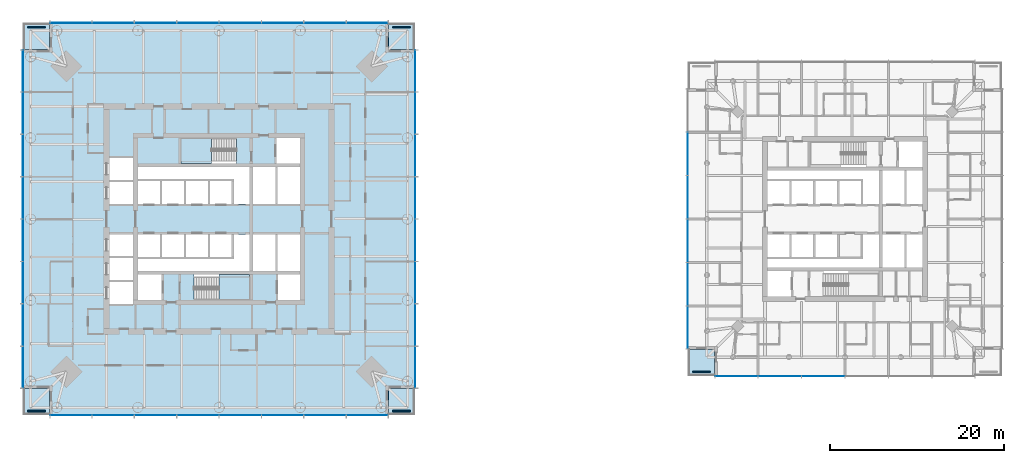
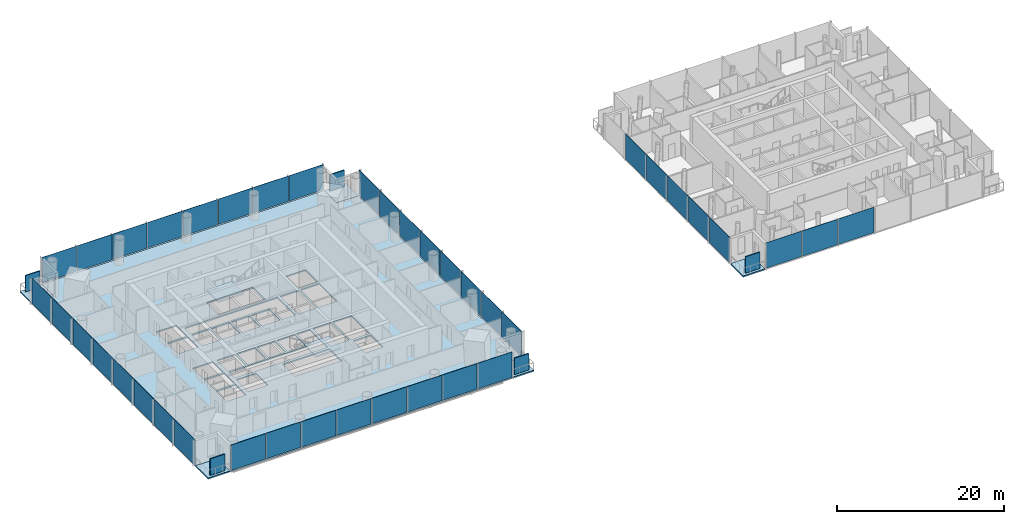
# One storey, part 6 of 18: 45 plates, 8 slabs, 8 elements without a shape of their own.
"""IFC4 building model written with IfcOpenShell, lengths in metres."""

from ifc_helpers import new_model, si_unit, direction, frame, origin, origin_2d, place, context, subcontext, project, spatial, polyline, rectangle, outline, extrude, material, layer, layer_set, type_object, element, aggregate, save


model = new_model("IFC4")

# Units and contexts
model_context = context("Model", 3, precision=1e-05, world=origin(), true_north=direction((0.0, 1.0)))
body_context = subcontext(model_context, "Body", "Model", "MODEL_VIEW")
ifc_project = project(units=[si_unit("LENGTHUNIT", "METRE"), si_unit("AREAUNIT", "SQUARE_METRE"), si_unit("VOLUMEUNIT", "CUBIC_METRE"), si_unit("PLANEANGLEUNIT", "RADIAN"), si_unit("MASSUNIT", "GRAM", prefix="KILO")], contexts=[model_context])

# Site, building, storey
site_placement = place(None, origin())
site = spatial("IfcSite", under=ifc_project, at=site_placement, CompositionType="ELEMENT")
building_placement = place(site_placement, origin())
building = spatial("IfcBuilding", under=site, at=building_placement, Name="Ostroluk Exchange", CompositionType="ELEMENT")
storey_placement = place(building_placement, frame((0.0, 0.0, 93.199951171875)))
storey = spatial("IfcBuildingStorey", under=building, at=storey_placement, Name="L23", CompositionType="ELEMENT", Elevation=93.199951171875)

# Curtain wall, plates
ifc_material_1 = material(Name="Laminated clear glass", Category="glass")
curtain_wall_type_1 = type_object("IfcCurtainWallType", Name="Hotel guest floor facade", PredefinedType="USERDEFINED", material=ifc_material_1)
curtain_wall_1_placement = place(storey_placement, origin())
curtain_wall_1 = element("IfcCurtainWall", 1, at=curtain_wall_1_placement, inside=storey, type_object=curtain_wall_type_1, Name="Hotel tower south facade L23", ObjectType="UNITISED CURTAIN WALL", PredefinedType="USERDEFINED")
ifc_material_2 = material(Name="Laminated clear glass", Category="glass")
ifc_layer_1 = layer(ifc_material_2, 0.0400390625)
ifc_layer_set_1 = layer_set([ifc_layer_1], Name="Acoustic laminated glazing 40")
plate_type_1 = type_object("IfcPlateType", Name="Acoustic laminated glazing 40", PredefinedType="CURTAIN_PANEL", material=ifc_layer_set_1)
plate_1_placement = place(storey_placement, frame((104.52001953125, 27.925048828125, 0.080078125), z_axis=(0.0, 0.0, 1.0), x_axis=(1.0, 0.0, 0.0)))
plate_1 = element("IfcPlate", 2, at=plate_1_placement, type_object=plate_type_1, Name="CW-H1 panel 1.1", PredefinedType="CURTAIN_PANEL", context=body_context, shape_type="SweptSolid", body=[
    extrude(rectangle(XDim=4.8798828125, YDim=0.0400390625, at=origin_2d()), origin(), (0.0, 0.0, 1.0), 3.719970703125),
])
plate_2_placement = place(storey_placement, frame((109.5, 27.925048828125, 0.080078125), z_axis=(0.0, 0.0, 1.0), x_axis=(1.0, 0.0, 0.0)))
plate_2 = element("IfcPlate", 3, at=plate_2_placement, type_object=plate_type_1, Name="CW-H1 panel 2.1", PredefinedType="CURTAIN_PANEL", context=body_context, shape_type="SweptSolid", body=[
    extrude(rectangle(XDim=4.919921875, YDim=0.0400390625, at=origin_2d()), origin(), (0.0, 0.0, 1.0), 3.719970703125),
])
plate_3_placement = place(storey_placement, frame((114.5, 27.925048828125, 0.080078125), z_axis=(0.0, 0.0, 1.0), x_axis=(1.0, 0.0, 0.0)))
plate_3 = element("IfcPlate", 4, at=plate_3_placement, type_object=plate_type_1, Name="CW-H1 panel 3.1", PredefinedType="CURTAIN_PANEL", context=body_context, shape_type="SweptSolid", body=[
    extrude(rectangle(XDim=4.919921875, YDim=0.0400390625, at=origin_2d()), origin(), (0.0, 0.0, 1.0), 3.719970703125),
])
aggregate(curtain_wall_1, [plate_1, plate_2, plate_3])

curtain_wall_2_placement = place(storey_placement, origin())
curtain_wall_2 = element("IfcCurtainWall", 5, at=curtain_wall_2_placement, inside=storey, type_object=curtain_wall_type_1, Name="Hotel tower west facade L23", ObjectType="UNITISED CURTAIN WALL", PredefinedType="USERDEFINED")
plate_4_placement = place(storey_placement, frame((98.925048828125, 53.5, 0.080078125), z_axis=(0.0, 0.0, 1.0), x_axis=(0.0, -1.0, 0.0)))
plate_4 = element("IfcPlate", 6, at=plate_4_placement, type_object=plate_type_1, Name="CW-H1 panel 2.1", PredefinedType="CURTAIN_PANEL", context=body_context, shape_type="SweptSolid", body=[
    extrude(rectangle(XDim=4.919921875, YDim=0.0400390625, at=origin_2d()), origin(), (0.0, 0.0, 1.0), 3.719970703125),
])
plate_5_placement = place(storey_placement, frame((98.925048828125, 48.5, 0.080078125), z_axis=(0.0, 0.0, 1.0), x_axis=(0.0, -1.0, 0.0)))
plate_5 = element("IfcPlate", 7, at=plate_5_placement, type_object=plate_type_1, Name="CW-H1 panel 3.1", PredefinedType="CURTAIN_PANEL", context=body_context, shape_type="SweptSolid", body=[
    extrude(rectangle(XDim=4.919921875, YDim=0.0400390625, at=origin_2d()), origin(), (0.0, 0.0, 1.0), 3.719970703125),
])
plate_6_placement = place(storey_placement, frame((98.925048828125, 43.5, 0.080078125), z_axis=(0.0, 0.0, 1.0), x_axis=(0.0, -1.0, 0.0)))
plate_6 = element("IfcPlate", 8, at=plate_6_placement, type_object=plate_type_1, Name="CW-H1 panel 4.1", PredefinedType="CURTAIN_PANEL", context=body_context, shape_type="SweptSolid", body=[
    extrude(rectangle(XDim=4.919921875, YDim=0.0400390625, at=origin_2d()), origin(), (0.0, 0.0, 1.0), 3.719970703125),
])
plate_7_placement = place(storey_placement, frame((98.925048828125, 38.5, 0.080078125), z_axis=(0.0, 0.0, 1.0), x_axis=(0.0, -1.0, 0.0)))
plate_7 = element("IfcPlate", 9, at=plate_7_placement, type_object=plate_type_1, Name="CW-H1 panel 5.1", PredefinedType="CURTAIN_PANEL", context=body_context, shape_type="SweptSolid", body=[
    extrude(rectangle(XDim=4.919921875, YDim=0.0400390625, at=origin_2d()), origin(), (0.0, 0.0, 1.0), 3.719970703125),
])
plate_8_placement = place(storey_placement, frame((98.925048828125, 33.52001953125, 0.080078125), z_axis=(0.0, 0.0, 1.0), x_axis=(0.0, -1.0, 0.0)))
plate_8 = element("IfcPlate", 10, at=plate_8_placement, type_object=plate_type_1, Name="CW-H1 panel 6.1", PredefinedType="CURTAIN_PANEL", context=body_context, shape_type="SweptSolid", body=[
    extrude(rectangle(XDim=4.8798828125, YDim=0.0400390625, at=origin_2d()), origin(), (0.0, 0.0, 1.0), 3.719970703125),
])
aggregate(curtain_wall_2, [plate_4, plate_5, plate_6, plate_7, plate_8])

# Slabs
ifc_material_3 = material(Name="Concrete C35/45", Category="concrete")
ifc_layer_2 = layer(ifc_material_3, 0.179931640625)
ifc_layer_set_2 = layer_set([ifc_layer_2], Name="Balcony slab 180")
slab_type_1 = type_object("IfcSlabType", Name="Balcony slab 180", PredefinedType="USERDEFINED", material=ifc_layer_set_2)
slab_1_placement = place(storey_placement, frame((0.0, 0.0, -0.179931640625)))
element("IfcSlab", 11, at=slab_1_placement, inside=storey, type_object=slab_type_1, Name="Office tower SE corner balcony L23", ObjectType="BALCONY", PredefinedType="USERDEFINED", context=body_context, shape_type="SweptSolid", body=[
    extrude(outline(polyline([(64.5, 23.5), (67.5, 23.5), (67.5, 26.5), (64.5, 26.5), (64.5, 23.5)])), origin(), (0.0, 0.0, 1.0), 0.179931640625),
])
slab_2_placement = place(storey_placement, frame((0.0, 0.0, -0.179931640625)))
element("IfcSlab", 12, at=slab_2_placement, inside=storey, type_object=slab_type_1, Name="Office tower NE corner balcony L23", ObjectType="BALCONY", PredefinedType="USERDEFINED", context=body_context, shape_type="SweptSolid", body=[
    extrude(outline(polyline([(64.5, 65.5), (67.5, 65.5), (67.5, 68.5), (64.5, 68.5), (64.5, 65.5)])), origin(), (0.0, 0.0, 1.0), 0.179931640625),
])
slab_3_placement = place(storey_placement, frame((0.0, 0.0, -0.179931640625)))
element("IfcSlab", 13, at=slab_3_placement, inside=storey, type_object=slab_type_1, Name="Office tower NW corner balcony L23", ObjectType="BALCONY", PredefinedType="USERDEFINED", context=body_context, shape_type="SweptSolid", body=[
    extrude(outline(polyline([(22.5, 65.5), (25.5, 65.5), (25.5, 68.5), (22.5, 68.5), (22.5, 65.5)])), origin(), (0.0, 0.0, 1.0), 0.179931640625),
])
slab_4_placement = place(storey_placement, frame((0.0, 0.0, -0.179931640625)))
element("IfcSlab", 14, at=slab_4_placement, inside=storey, type_object=slab_type_1, Name="Office tower SW corner balcony L23", ObjectType="BALCONY", PredefinedType="USERDEFINED", context=body_context, shape_type="SweptSolid", body=[
    extrude(outline(polyline([(22.5, 23.5), (25.5, 23.5), (25.5, 26.5), (22.5, 26.5), (22.5, 23.5)])), origin(), (0.0, 0.0, 1.0), 0.179931640625),
])
ifc_material_4 = material(Name="Concrete C35/45", Category="concrete")
ifc_layer_3 = layer(ifc_material_4, 0.199951171875)
ifc_layer_set_3 = layer_set([ifc_layer_3], Name="Balcony slab 200")
slab_type_2 = type_object("IfcSlabType", Name="Balcony slab 200", PredefinedType="USERDEFINED", material=ifc_layer_set_3)
slab_5_placement = place(storey_placement, frame((0.0, 0.0, -0.199951171875)))
element("IfcSlab", 15, at=slab_5_placement, inside=storey, type_object=slab_type_2, Name="Hotel tower SW corner balcony L23", ObjectType="BALCONY", PredefinedType="USERDEFINED", context=body_context, shape_type="SweptSolid", body=[
    extrude(outline(polyline([(99.0, 28.0), (102.0, 28.0), (102.0, 31.0), (99.0, 31.0), (99.0, 28.0)])), origin(), (0.0, 0.0, 1.0), 0.199951171875),
])

# Plates
ifc_material_5 = material(Name="Steel S355 trellis with planting", Category="steel")
ifc_layer_4 = layer(ifc_material_5, 0.14990234375)
ifc_layer_set_4 = layer_set([ifc_layer_4], Name="Planted screen 150")
plate_type_2 = type_object("IfcPlateType", Name="Planted screen 150", PredefinedType="USERDEFINED", material=ifc_layer_set_4)
for number, where, z_axis, x_axis, name in (
    (16, (66.0, 23.925048828125, 0.0), (0.0, 0.0, 1.0), (1.0, 0.0, 0.0), "Office tower SE planted screen L23"),
    (17, (66.0, 68.074951171875, 0.0), (0.0, 0.0, 1.0), (1.0, 0.0, 0.0), "Office tower NE planted screen L23"),
    (18, (24.0, 68.074951171875, 0.0), (0.0, 0.0, 1.0), (1.0, 0.0, 0.0), "Office tower NW planted screen L23"),
    (19, (24.0, 23.925048828125, 0.0), (0.0, 0.0, 1.0), (1.0, 0.0, 0.0), "Office tower SW planted screen L23"),
    (20, (100.5, 28.425048828125, 0.0), (0.0, 0.0, 1.0), (1.0, 0.0, 0.0), "Hotel tower SW planted screen L23"),
):
    element("IfcPlate", number, at=place(storey_placement, frame(where, z_axis=z_axis, x_axis=x_axis)), inside=storey, type_object=plate_type_2, Name=name, ObjectType="PLANTED SCREEN", PredefinedType="USERDEFINED", context=body_context, shape_type="SweptSolid", body=[
        extrude(rectangle(XDim=2.0, YDim=0.14990234375, at=origin_2d()), origin(), (0.0, 0.0, 1.0), 2.39990234375),
    ])

# Stair, slab
ifc_material_6 = material(Name="Concrete C30/37", Category="concrete")
stair_type = type_object("IfcStairType", Name="Exit stair half turn 3800", PredefinedType="HALF_TURN_STAIR", material=ifc_material_6)
stair_1_placement = place(storey_placement, origin())
stair_1 = element("IfcStair", 21, at=stair_1_placement, inside=storey, type_object=stair_type, Name="Stair T1-S1 L23", PredefinedType="HALF_TURN_STAIR")
ifc_material_7 = material(Name="Concrete C30/37", Category="concrete")
ifc_layer_5 = layer(ifc_material_7, 0.199951171875)
ifc_layer_set_5 = layer_set([ifc_layer_5], Name="Stair landing 200")
slab_type_3 = type_object("IfcSlabType", Name="Stair landing 200", PredefinedType="LANDING", material=ifc_layer_set_5)
slab_6_placement = place(storey_placement, frame((0.0, 0.0, 1.699951171875)))
slab_6 = element("IfcSlab", 22, at=slab_6_placement, type_object=slab_type_3, Name="T1-S1 landing 1", PredefinedType="LANDING", context=body_context, shape_type="SweptSolid", body=[
    extrude(outline(polyline([(45.0, 36.699951171875), (45.0, 39.60009765625), (48.530029296875, 39.60009765625), (48.530029296875, 36.699951171875), (45.0, 36.699951171875)])), origin(), (0.0, 0.0, 1.0), 0.2001953125),
])
aggregate(stair_1, [slab_6])

stair_2_placement = place(storey_placement, origin())
stair_2 = element("IfcStair", 23, at=stair_2_placement, inside=storey, type_object=stair_type, Name="Stair T1-S2 L23", PredefinedType="HALF_TURN_STAIR")
slab_7_placement = place(storey_placement, frame((0.0, 0.0, 1.699951171875)))
slab_7 = element("IfcSlab", 24, at=slab_7_placement, type_object=slab_type_3, Name="T1-S2 landing 1", PredefinedType="LANDING", context=body_context, shape_type="SweptSolid", body=[
    extrude(outline(polyline([(44.1298828125, 52.39990234375), (44.1298828125, 55.300048828125), (40.60009765625, 55.300048828125), (40.60009765625, 52.39990234375), (44.1298828125, 52.39990234375)])), origin(), (0.0, 0.0, 1.0), 0.2001953125),
])
aggregate(stair_2, [slab_7])

# Slab
ifc_material_8 = material(Name="Concrete C35/45", Category="concrete")
ifc_layer_6 = layer(ifc_material_8, 0.179931640625)
ifc_layer_set_6 = layer_set([ifc_layer_6], Name="Tower floor slab 180 composite")
slab_type_4 = type_object("IfcSlabType", Name="Tower floor slab 180 composite", PredefinedType="FLOOR", material=ifc_layer_set_6)
slab_8_placement = place(storey_placement, frame((0.0, 0.0, -0.179931640625)))
element("IfcSlab", 25, at=slab_8_placement, inside=storey, type_object=slab_type_4, Name="Office tower floor slab L23", PredefinedType="FLOOR", context=body_context, shape_type="SweptSolid", body=[
    extrude(outline(polyline([(25.5, 23.5), (64.5, 23.5), (64.5, 26.5), (67.5, 26.5), (67.5, 65.5), (64.5, 65.5), (64.5, 68.5), (25.5, 68.5), (25.5, 65.5), (22.5, 65.5), (22.5, 26.5), (25.5, 26.5), (25.5, 23.5)]), holes=[polyline([(35.699951171875, 36.699951171875), (38.39990234375, 36.699951171875), (38.39990234375, 39.60009765625), (35.699951171875, 39.60009765625), (35.699951171875, 36.699951171875)]), polyline([(42.110107421875, 36.699951171875), (48.530029296875, 36.699951171875), (48.530029296875, 39.60009765625), (42.110107421875, 39.60009765625), (42.110107421875, 36.699951171875)]), polyline([(51.800048828125, 36.699951171875), (54.300048828125, 36.699951171875), (54.300048828125, 39.60009765625), (51.800048828125, 39.60009765625), (51.800048828125, 36.699951171875)]), polyline([(40.60009765625, 52.39990234375), (47.02001953125, 52.39990234375), (47.02001953125, 55.300048828125), (40.60009765625, 55.300048828125), (40.60009765625, 52.39990234375)]), polyline([(51.60009765625, 52.39990234375), (54.300048828125, 52.39990234375), (54.300048828125, 55.300048828125), (51.60009765625, 55.300048828125), (51.60009765625, 52.39990234375)]), polyline([(35.699951171875, 47.75), (38.199951171875, 47.75), (38.199951171875, 50.35009765625), (35.699951171875, 50.35009765625), (35.699951171875, 47.75)]), polyline([(38.449951171875, 47.75), (40.949951171875, 47.75), (40.949951171875, 50.35009765625), (38.449951171875, 50.35009765625), (38.449951171875, 47.75)]), polyline([(41.199951171875, 47.75), (43.699951171875, 47.75), (43.699951171875, 50.35009765625), (41.199951171875, 50.35009765625), (41.199951171875, 47.75)]), polyline([(43.949951171875, 47.75), (46.449951171875, 47.75), (46.449951171875, 50.35009765625), (43.949951171875, 50.35009765625), (43.949951171875, 47.75)]), polyline([(35.699951171875, 41.64990234375), (38.199951171875, 41.64990234375), (38.199951171875, 44.25), (35.699951171875, 44.25), (35.699951171875, 41.64990234375)]), polyline([(38.449951171875, 41.64990234375), (40.949951171875, 41.64990234375), (40.949951171875, 44.25), (38.449951171875, 44.25), (38.449951171875, 41.64990234375)]), polyline([(41.199951171875, 41.64990234375), (43.699951171875, 41.64990234375), (43.699951171875, 44.25), (41.199951171875, 44.25), (41.199951171875, 41.64990234375)]), polyline([(43.949951171875, 41.64990234375), (46.449951171875, 41.64990234375), (46.449951171875, 44.25), (43.949951171875, 44.25), (43.949951171875, 41.64990234375)]), polyline([(48.929931640625, 47.75), (51.489990234375, 47.75), (51.489990234375, 52.0), (48.929931640625, 52.0), (48.929931640625, 47.75)]), polyline([(51.739990234375, 47.75), (54.300048828125, 47.75), (54.300048828125, 52.0), (51.739990234375, 52.0), (51.739990234375, 47.75)]), polyline([(48.929931640625, 40.0), (51.489990234375, 40.0), (51.489990234375, 44.25), (48.929931640625, 44.25), (48.929931640625, 40.0)]), polyline([(51.739990234375, 40.0), (54.300048828125, 40.0), (54.300048828125, 44.25), (51.739990234375, 44.25), (51.739990234375, 40.0)]), polyline([(48.530029296875, 52.0), (48.530029296875, 47.75), (46.699951171875, 47.75), (46.699951171875, 50.60009765625), (35.699951171875, 50.60009765625), (35.699951171875, 52.0), (48.530029296875, 52.0)]), polyline([(35.699951171875, 40.0), (35.699951171875, 41.39990234375), (46.699951171875, 41.39990234375), (46.699951171875, 44.25), (48.530029296875, 44.25), (48.530029296875, 40.0), (35.699951171875, 40.0)]), polyline([(32.39990234375, 36.25), (35.10009765625, 36.25), (35.10009765625, 38.75), (32.39990234375, 38.75), (32.39990234375, 36.25)]), polyline([(32.39990234375, 39.0), (35.10009765625, 39.0), (35.10009765625, 41.5), (32.39990234375, 41.5), (32.39990234375, 39.0)]), polyline([(32.39990234375, 41.75), (35.10009765625, 41.75), (35.10009765625, 44.25), (32.39990234375, 44.25), (32.39990234375, 41.75)]), polyline([(32.39990234375, 47.75), (35.10009765625, 47.75), (35.10009765625, 50.25), (32.39990234375, 50.25), (32.39990234375, 47.75)]), polyline([(32.39990234375, 50.5), (35.10009765625, 50.5), (35.10009765625, 53.0), (32.39990234375, 53.0), (32.39990234375, 50.5)])]), origin(), (0.0, 0.0, 1.0), 0.179931640625),
])

# Curtain wall, plates
ifc_material_9 = material(Name="Laminated clear glass", Category="glass")
curtain_wall_type_2 = type_object("IfcCurtainWallType", Name="Office tower facade", PredefinedType="USERDEFINED", material=ifc_material_9)
curtain_wall_3_placement = place(storey_placement, origin())
curtain_wall_3 = element("IfcCurtainWall", 26, at=curtain_wall_3_placement, inside=storey, type_object=curtain_wall_type_2, Name="Office tower south facade L23", ObjectType="UNITISED CURTAIN WALL", PredefinedType="USERDEFINED")
ifc_material_10 = material(Name="Laminated clear glass", Category="glass")
ifc_layer_7 = layer(ifc_material_10, 0.0439453125)
ifc_layer_set_7 = layer_set([ifc_layer_7], Name="Triple laminated clear glazing 44")
plate_type_3 = type_object("IfcPlateType", Name="Triple laminated clear glazing 44", PredefinedType="CURTAIN_PANEL", material=ifc_layer_set_7)
plate_9_placement = place(storey_placement, frame((27.95751953125, 23.425048828125, 0.080078125), z_axis=(0.0, 0.0, 1.0), x_axis=(1.0, 0.0, 0.0)))
plate_9 = element("IfcPlate", 27, at=plate_9_placement, type_object=plate_type_3, Name="CW-O1 panel 1.1", PredefinedType="CURTAIN_PANEL", context=body_context, shape_type="SweptSolid", body=[
    extrude(rectangle(XDim=4.7548828125, YDim=0.0439453125, at=origin_2d()), origin(), (0.0, 0.0, 1.0), 3.719970703125),
])
plate_10_placement = place(storey_placement, frame((32.8125, 23.425048828125, 0.080078125), z_axis=(0.0, 0.0, 1.0), x_axis=(1.0, 0.0, 0.0)))
plate_10 = element("IfcPlate", 28, at=plate_10_placement, type_object=plate_type_3, Name="CW-O1 panel 2.1", PredefinedType="CURTAIN_PANEL", context=body_context, shape_type="SweptSolid", body=[
    extrude(rectangle(XDim=4.794921875, YDim=0.0439453125, at=origin_2d()), origin(), (0.0, 0.0, 1.0), 3.719970703125),
])
plate_11_placement = place(storey_placement, frame((37.6875, 23.425048828125, 0.080078125), z_axis=(0.0, 0.0, 1.0), x_axis=(1.0, 0.0, 0.0)))
plate_11 = element("IfcPlate", 29, at=plate_11_placement, type_object=plate_type_3, Name="CW-O1 panel 3.1", PredefinedType="CURTAIN_PANEL", context=body_context, shape_type="SweptSolid", body=[
    extrude(rectangle(XDim=4.794921875, YDim=0.0439453125, at=origin_2d()), origin(), (0.0, 0.0, 1.0), 3.719970703125),
])
plate_12_placement = place(storey_placement, frame((42.5625, 23.425048828125, 0.080078125), z_axis=(0.0, 0.0, 1.0), x_axis=(1.0, 0.0, 0.0)))
plate_12 = element("IfcPlate", 30, at=plate_12_placement, type_object=plate_type_3, Name="CW-O1 panel 4.1", PredefinedType="CURTAIN_PANEL", context=body_context, shape_type="SweptSolid", body=[
    extrude(rectangle(XDim=4.794921875, YDim=0.0439453125, at=origin_2d()), origin(), (0.0, 0.0, 1.0), 3.719970703125),
])
plate_13_placement = place(storey_placement, frame((47.4375, 23.425048828125, 0.080078125), z_axis=(0.0, 0.0, 1.0), x_axis=(1.0, 0.0, 0.0)))
plate_13 = element("IfcPlate", 31, at=plate_13_placement, type_object=plate_type_3, Name="CW-O1 panel 5.1", PredefinedType="CURTAIN_PANEL", context=body_context, shape_type="SweptSolid", body=[
    extrude(rectangle(XDim=4.794921875, YDim=0.0439453125, at=origin_2d()), origin(), (0.0, 0.0, 1.0), 3.719970703125),
])
plate_14_placement = place(storey_placement, frame((52.3125, 23.425048828125, 0.080078125), z_axis=(0.0, 0.0, 1.0), x_axis=(1.0, 0.0, 0.0)))
plate_14 = element("IfcPlate", 32, at=plate_14_placement, type_object=plate_type_3, Name="CW-O1 panel 6.1", PredefinedType="CURTAIN_PANEL", context=body_context, shape_type="SweptSolid", body=[
    extrude(rectangle(XDim=4.794921875, YDim=0.0439453125, at=origin_2d()), origin(), (0.0, 0.0, 1.0), 3.719970703125),
])
plate_15_placement = place(storey_placement, frame((57.1875, 23.425048828125, 0.080078125), z_axis=(0.0, 0.0, 1.0), x_axis=(1.0, 0.0, 0.0)))
plate_15 = element("IfcPlate", 33, at=plate_15_placement, type_object=plate_type_3, Name="CW-O1 panel 7.1", PredefinedType="CURTAIN_PANEL", context=body_context, shape_type="SweptSolid", body=[
    extrude(rectangle(XDim=4.794921875, YDim=0.0439453125, at=origin_2d()), origin(), (0.0, 0.0, 1.0), 3.719970703125),
])
plate_16_placement = place(storey_placement, frame((62.04248046875, 23.425048828125, 0.080078125), z_axis=(0.0, 0.0, 1.0), x_axis=(1.0, 0.0, 0.0)))
plate_16 = element("IfcPlate", 34, at=plate_16_placement, type_object=plate_type_3, Name="CW-O1 panel 8.1", PredefinedType="CURTAIN_PANEL", context=body_context, shape_type="SweptSolid", body=[
    extrude(rectangle(XDim=4.7548828125, YDim=0.0439453125, at=origin_2d()), origin(), (0.0, 0.0, 1.0), 3.719970703125),
])
aggregate(curtain_wall_3, [plate_9, plate_10, plate_11, plate_12, plate_13, plate_14, plate_15, plate_16])

curtain_wall_4_placement = place(storey_placement, origin())
curtain_wall_4 = element("IfcCurtainWall", 35, at=curtain_wall_4_placement, inside=storey, type_object=curtain_wall_type_2, Name="Office tower east facade L23", ObjectType="UNITISED CURTAIN WALL", PredefinedType="USERDEFINED")
plate_17_placement = place(storey_placement, frame((67.574951171875, 28.95751953125, 0.080078125), z_axis=(0.0, 0.0, 1.0), x_axis=(0.0, 1.0, 0.0)))
plate_17 = element("IfcPlate", 36, at=plate_17_placement, type_object=plate_type_3, Name="CW-O1 panel 1.1", PredefinedType="CURTAIN_PANEL", context=body_context, shape_type="SweptSolid", body=[
    extrude(rectangle(XDim=4.7548828125, YDim=0.0439453125, at=origin_2d()), origin(), (0.0, 0.0, 1.0), 3.719970703125),
])
plate_18_placement = place(storey_placement, frame((67.574951171875, 33.8125, 0.080078125), z_axis=(0.0, 0.0, 1.0), x_axis=(0.0, 1.0, 0.0)))
plate_18 = element("IfcPlate", 37, at=plate_18_placement, type_object=plate_type_3, Name="CW-O1 panel 2.1", PredefinedType="CURTAIN_PANEL", context=body_context, shape_type="SweptSolid", body=[
    extrude(rectangle(XDim=4.794921875, YDim=0.0439453125, at=origin_2d()), origin(), (0.0, 0.0, 1.0), 3.719970703125),
])
plate_19_placement = place(storey_placement, frame((67.574951171875, 38.6875, 0.080078125), z_axis=(0.0, 0.0, 1.0), x_axis=(0.0, 1.0, 0.0)))
plate_19 = element("IfcPlate", 38, at=plate_19_placement, type_object=plate_type_3, Name="CW-O1 panel 3.1", PredefinedType="CURTAIN_PANEL", context=body_context, shape_type="SweptSolid", body=[
    extrude(rectangle(XDim=4.794921875, YDim=0.0439453125, at=origin_2d()), origin(), (0.0, 0.0, 1.0), 3.719970703125),
])
plate_20_placement = place(storey_placement, frame((67.574951171875, 43.5625, 0.080078125), z_axis=(0.0, 0.0, 1.0), x_axis=(0.0, 1.0, 0.0)))
plate_20 = element("IfcPlate", 39, at=plate_20_placement, type_object=plate_type_3, Name="CW-O1 panel 4.1", PredefinedType="CURTAIN_PANEL", context=body_context, shape_type="SweptSolid", body=[
    extrude(rectangle(XDim=4.794921875, YDim=0.0439453125, at=origin_2d()), origin(), (0.0, 0.0, 1.0), 3.719970703125),
])
plate_21_placement = place(storey_placement, frame((67.574951171875, 48.4375, 0.080078125), z_axis=(0.0, 0.0, 1.0), x_axis=(0.0, 1.0, 0.0)))
plate_21 = element("IfcPlate", 40, at=plate_21_placement, type_object=plate_type_3, Name="CW-O1 panel 5.1", PredefinedType="CURTAIN_PANEL", context=body_context, shape_type="SweptSolid", body=[
    extrude(rectangle(XDim=4.794921875, YDim=0.0439453125, at=origin_2d()), origin(), (0.0, 0.0, 1.0), 3.719970703125),
])
plate_22_placement = place(storey_placement, frame((67.574951171875, 53.3125, 0.080078125), z_axis=(0.0, 0.0, 1.0), x_axis=(0.0, 1.0, 0.0)))
plate_22 = element("IfcPlate", 41, at=plate_22_placement, type_object=plate_type_3, Name="CW-O1 panel 6.1", PredefinedType="CURTAIN_PANEL", context=body_context, shape_type="SweptSolid", body=[
    extrude(rectangle(XDim=4.794921875, YDim=0.0439453125, at=origin_2d()), origin(), (0.0, 0.0, 1.0), 3.719970703125),
])
plate_23_placement = place(storey_placement, frame((67.574951171875, 58.1875, 0.080078125), z_axis=(0.0, 0.0, 1.0), x_axis=(0.0, 1.0, 0.0)))
plate_23 = element("IfcPlate", 42, at=plate_23_placement, type_object=plate_type_3, Name="CW-O1 panel 7.1", PredefinedType="CURTAIN_PANEL", context=body_context, shape_type="SweptSolid", body=[
    extrude(rectangle(XDim=4.794921875, YDim=0.0439453125, at=origin_2d()), origin(), (0.0, 0.0, 1.0), 3.719970703125),
])
plate_24_placement = place(storey_placement, frame((67.574951171875, 63.04248046875, 0.080078125), z_axis=(0.0, 0.0, 1.0), x_axis=(0.0, 1.0, 0.0)))
plate_24 = element("IfcPlate", 43, at=plate_24_placement, type_object=plate_type_3, Name="CW-O1 panel 8.1", PredefinedType="CURTAIN_PANEL", context=body_context, shape_type="SweptSolid", body=[
    extrude(rectangle(XDim=4.7548828125, YDim=0.0439453125, at=origin_2d()), origin(), (0.0, 0.0, 1.0), 3.719970703125),
])
aggregate(curtain_wall_4, [plate_17, plate_18, plate_19, plate_20, plate_21, plate_22, plate_23, plate_24])

curtain_wall_5_placement = place(storey_placement, origin())
curtain_wall_5 = element("IfcCurtainWall", 44, at=curtain_wall_5_placement, inside=storey, type_object=curtain_wall_type_2, Name="Office tower north facade L23", ObjectType="UNITISED CURTAIN WALL", PredefinedType="USERDEFINED")
plate_25_placement = place(storey_placement, frame((62.04248046875, 68.574951171875, 0.080078125), z_axis=(0.0, 0.0, 1.0), x_axis=(-1.0, 0.0, 0.0)))
plate_25 = element("IfcPlate", 45, at=plate_25_placement, type_object=plate_type_3, Name="CW-O1 panel 1.1", PredefinedType="CURTAIN_PANEL", context=body_context, shape_type="SweptSolid", body=[
    extrude(rectangle(XDim=4.7548828125, YDim=0.0439453125, at=origin_2d()), origin(), (0.0, 0.0, 1.0), 3.719970703125),
])
plate_26_placement = place(storey_placement, frame((57.1875, 68.574951171875, 0.080078125), z_axis=(0.0, 0.0, 1.0), x_axis=(-1.0, 0.0, 0.0)))
plate_26 = element("IfcPlate", 46, at=plate_26_placement, type_object=plate_type_3, Name="CW-O1 panel 2.1", PredefinedType="CURTAIN_PANEL", context=body_context, shape_type="SweptSolid", body=[
    extrude(rectangle(XDim=4.794921875, YDim=0.0439453125, at=origin_2d()), origin(), (0.0, 0.0, 1.0), 3.719970703125),
])
plate_27_placement = place(storey_placement, frame((52.3125, 68.574951171875, 0.080078125), z_axis=(0.0, 0.0, 1.0), x_axis=(-1.0, 0.0, 0.0)))
plate_27 = element("IfcPlate", 47, at=plate_27_placement, type_object=plate_type_3, Name="CW-O1 panel 3.1", PredefinedType="CURTAIN_PANEL", context=body_context, shape_type="SweptSolid", body=[
    extrude(rectangle(XDim=4.794921875, YDim=0.0439453125, at=origin_2d()), origin(), (0.0, 0.0, 1.0), 3.719970703125),
])
plate_28_placement = place(storey_placement, frame((47.4375, 68.574951171875, 0.080078125), z_axis=(0.0, 0.0, 1.0), x_axis=(-1.0, 0.0, 0.0)))
plate_28 = element("IfcPlate", 48, at=plate_28_placement, type_object=plate_type_3, Name="CW-O1 panel 4.1", PredefinedType="CURTAIN_PANEL", context=body_context, shape_type="SweptSolid", body=[
    extrude(rectangle(XDim=4.794921875, YDim=0.0439453125, at=origin_2d()), origin(), (0.0, 0.0, 1.0), 3.719970703125),
])
plate_29_placement = place(storey_placement, frame((42.5625, 68.574951171875, 0.080078125), z_axis=(0.0, 0.0, 1.0), x_axis=(-1.0, 0.0, 0.0)))
plate_29 = element("IfcPlate", 49, at=plate_29_placement, type_object=plate_type_3, Name="CW-O1 panel 5.1", PredefinedType="CURTAIN_PANEL", context=body_context, shape_type="SweptSolid", body=[
    extrude(rectangle(XDim=4.794921875, YDim=0.0439453125, at=origin_2d()), origin(), (0.0, 0.0, 1.0), 3.719970703125),
])
plate_30_placement = place(storey_placement, frame((37.6875, 68.574951171875, 0.080078125), z_axis=(0.0, 0.0, 1.0), x_axis=(-1.0, 0.0, 0.0)))
plate_30 = element("IfcPlate", 50, at=plate_30_placement, type_object=plate_type_3, Name="CW-O1 panel 6.1", PredefinedType="CURTAIN_PANEL", context=body_context, shape_type="SweptSolid", body=[
    extrude(rectangle(XDim=4.794921875, YDim=0.0439453125, at=origin_2d()), origin(), (0.0, 0.0, 1.0), 3.719970703125),
])
plate_31_placement = place(storey_placement, frame((32.8125, 68.574951171875, 0.080078125), z_axis=(0.0, 0.0, 1.0), x_axis=(-1.0, 0.0, 0.0)))
plate_31 = element("IfcPlate", 51, at=plate_31_placement, type_object=plate_type_3, Name="CW-O1 panel 7.1", PredefinedType="CURTAIN_PANEL", context=body_context, shape_type="SweptSolid", body=[
    extrude(rectangle(XDim=4.794921875, YDim=0.0439453125, at=origin_2d()), origin(), (0.0, 0.0, 1.0), 3.719970703125),
])
plate_32_placement = place(storey_placement, frame((27.95751953125, 68.574951171875, 0.080078125), z_axis=(0.0, 0.0, 1.0), x_axis=(-1.0, 0.0, 0.0)))
plate_32 = element("IfcPlate", 52, at=plate_32_placement, type_object=plate_type_3, Name="CW-O1 panel 8.1", PredefinedType="CURTAIN_PANEL", context=body_context, shape_type="SweptSolid", body=[
    extrude(rectangle(XDim=4.7548828125, YDim=0.0439453125, at=origin_2d()), origin(), (0.0, 0.0, 1.0), 3.719970703125),
])
aggregate(curtain_wall_5, [plate_25, plate_26, plate_27, plate_28, plate_29, plate_30, plate_31, plate_32])

curtain_wall_6_placement = place(storey_placement, origin())
curtain_wall_6 = element("IfcCurtainWall", 53, at=curtain_wall_6_placement, inside=storey, type_object=curtain_wall_type_2, Name="Office tower west facade L23", ObjectType="UNITISED CURTAIN WALL", PredefinedType="USERDEFINED")
plate_33_placement = place(storey_placement, frame((22.425048828125, 63.04248046875, 0.080078125), z_axis=(0.0, 0.0, 1.0), x_axis=(0.0, -1.0, 0.0)))
plate_33 = element("IfcPlate", 54, at=plate_33_placement, type_object=plate_type_3, Name="CW-O1 panel 1.1", PredefinedType="CURTAIN_PANEL", context=body_context, shape_type="SweptSolid", body=[
    extrude(rectangle(XDim=4.7548828125, YDim=0.0439453125, at=origin_2d()), origin(), (0.0, 0.0, 1.0), 3.719970703125),
])
plate_34_placement = place(storey_placement, frame((22.425048828125, 58.1875, 0.080078125), z_axis=(0.0, 0.0, 1.0), x_axis=(0.0, -1.0, 0.0)))
plate_34 = element("IfcPlate", 55, at=plate_34_placement, type_object=plate_type_3, Name="CW-O1 panel 2.1", PredefinedType="CURTAIN_PANEL", context=body_context, shape_type="SweptSolid", body=[
    extrude(rectangle(XDim=4.794921875, YDim=0.0439453125, at=origin_2d()), origin(), (0.0, 0.0, 1.0), 3.719970703125),
])
plate_35_placement = place(storey_placement, frame((22.425048828125, 53.3125, 0.080078125), z_axis=(0.0, 0.0, 1.0), x_axis=(0.0, -1.0, 0.0)))
plate_35 = element("IfcPlate", 56, at=plate_35_placement, type_object=plate_type_3, Name="CW-O1 panel 3.1", PredefinedType="CURTAIN_PANEL", context=body_context, shape_type="SweptSolid", body=[
    extrude(rectangle(XDim=4.794921875, YDim=0.0439453125, at=origin_2d()), origin(), (0.0, 0.0, 1.0), 3.719970703125),
])
plate_36_placement = place(storey_placement, frame((22.425048828125, 48.4375, 0.080078125), z_axis=(0.0, 0.0, 1.0), x_axis=(0.0, -1.0, 0.0)))
plate_36 = element("IfcPlate", 57, at=plate_36_placement, type_object=plate_type_3, Name="CW-O1 panel 4.1", PredefinedType="CURTAIN_PANEL", context=body_context, shape_type="SweptSolid", body=[
    extrude(rectangle(XDim=4.794921875, YDim=0.0439453125, at=origin_2d()), origin(), (0.0, 0.0, 1.0), 3.719970703125),
])
plate_37_placement = place(storey_placement, frame((22.425048828125, 43.5625, 0.080078125), z_axis=(0.0, 0.0, 1.0), x_axis=(0.0, -1.0, 0.0)))
plate_37 = element("IfcPlate", 58, at=plate_37_placement, type_object=plate_type_3, Name="CW-O1 panel 5.1", PredefinedType="CURTAIN_PANEL", context=body_context, shape_type="SweptSolid", body=[
    extrude(rectangle(XDim=4.794921875, YDim=0.0439453125, at=origin_2d()), origin(), (0.0, 0.0, 1.0), 3.719970703125),
])
plate_38_placement = place(storey_placement, frame((22.425048828125, 38.6875, 0.080078125), z_axis=(0.0, 0.0, 1.0), x_axis=(0.0, -1.0, 0.0)))
plate_38 = element("IfcPlate", 59, at=plate_38_placement, type_object=plate_type_3, Name="CW-O1 panel 6.1", PredefinedType="CURTAIN_PANEL", context=body_context, shape_type="SweptSolid", body=[
    extrude(rectangle(XDim=4.794921875, YDim=0.0439453125, at=origin_2d()), origin(), (0.0, 0.0, 1.0), 3.719970703125),
])
plate_39_placement = place(storey_placement, frame((22.425048828125, 33.8125, 0.080078125), z_axis=(0.0, 0.0, 1.0), x_axis=(0.0, -1.0, 0.0)))
plate_39 = element("IfcPlate", 60, at=plate_39_placement, type_object=plate_type_3, Name="CW-O1 panel 7.1", PredefinedType="CURTAIN_PANEL", context=body_context, shape_type="SweptSolid", body=[
    extrude(rectangle(XDim=4.794921875, YDim=0.0439453125, at=origin_2d()), origin(), (0.0, 0.0, 1.0), 3.719970703125),
])
plate_40_placement = place(storey_placement, frame((22.425048828125, 28.95751953125, 0.080078125), z_axis=(0.0, 0.0, 1.0), x_axis=(0.0, -1.0, 0.0)))
plate_40 = element("IfcPlate", 61, at=plate_40_placement, type_object=plate_type_3, Name="CW-O1 panel 8.1", PredefinedType="CURTAIN_PANEL", context=body_context, shape_type="SweptSolid", body=[
    extrude(rectangle(XDim=4.7548828125, YDim=0.0439453125, at=origin_2d()), origin(), (0.0, 0.0, 1.0), 3.719970703125),
])
aggregate(curtain_wall_6, [plate_33, plate_34, plate_35, plate_36, plate_37, plate_38, plate_39, plate_40])

save(model, "model.ifc")
